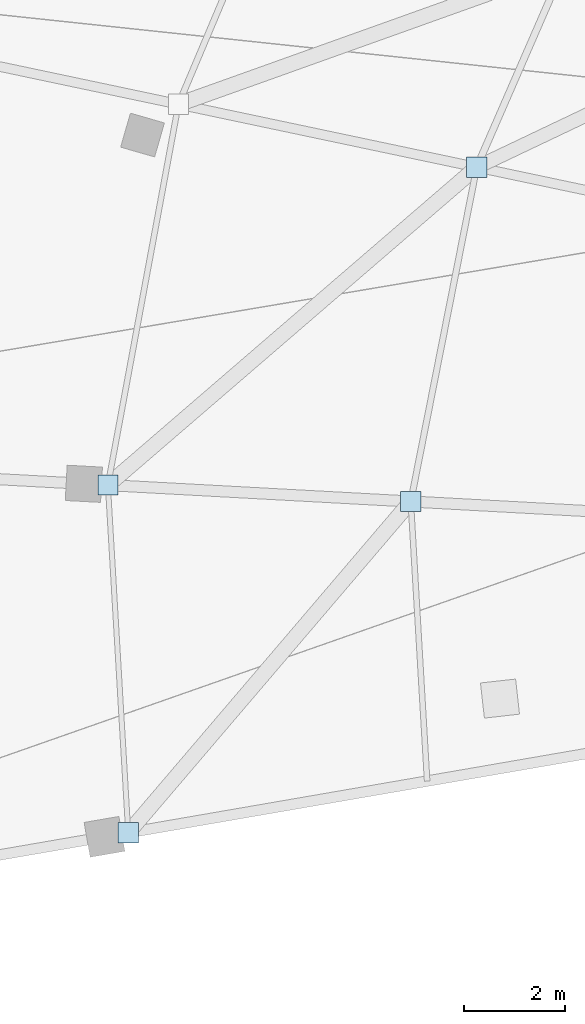
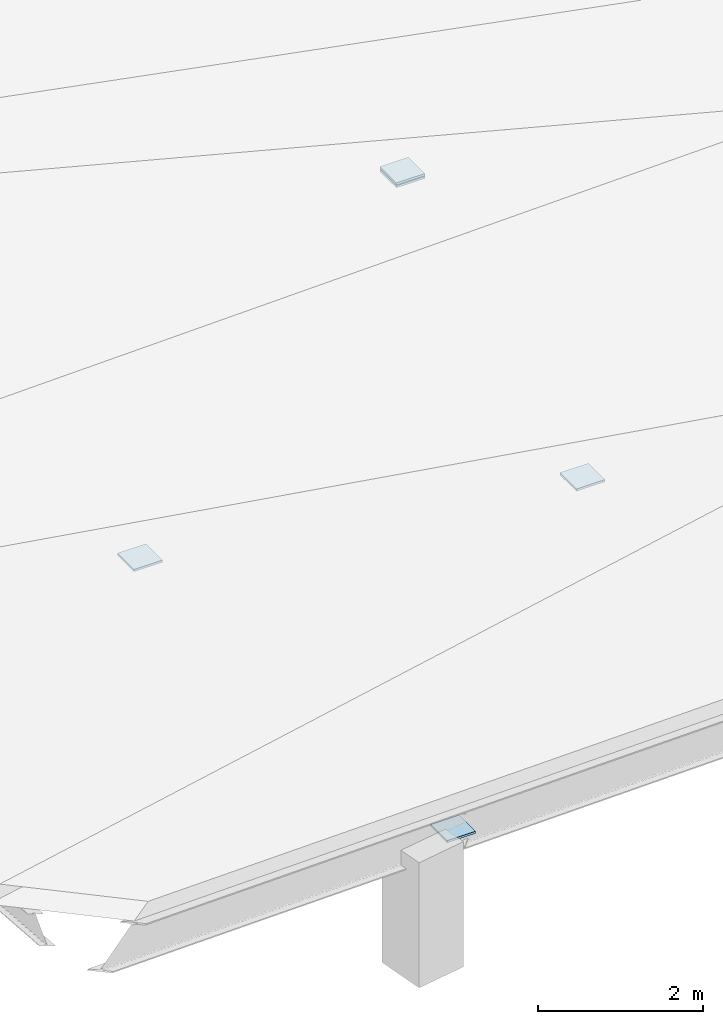
# One storey, part 28 of 49: 5 plates.
"""IFC4 building model written with IfcOpenShell, lengths in metres."""

from ifc_helpers import new_model, si_unit, direction, frame, origin, origin_2d, place, context, subcontext, project, spatial, rectangle, extrude, material, layer, layer_set, type_object, element, save


model = new_model("IFC4")

# Units and contexts
model_context = context("Model", 3, precision=1e-05, world=origin(), true_north=direction((0.0, 1.0)))
body_context = subcontext(model_context, "Body", "Model", "MODEL_VIEW")
ifc_project = project(units=[si_unit("LENGTHUNIT", "METRE"), si_unit("AREAUNIT", "SQUARE_METRE"), si_unit("VOLUMEUNIT", "CUBIC_METRE"), si_unit("PLANEANGLEUNIT", "RADIAN"), si_unit("MASSUNIT", "GRAM", prefix="KILO")], contexts=[model_context])

# Site, building, storey
site_placement = place(None, origin())
site = spatial("IfcSite", under=ifc_project, at=site_placement, CompositionType="ELEMENT")
building_placement = place(site_placement, origin())
building = spatial("IfcBuilding", under=site, at=building_placement, Name="Soyqirgoq Riverine Aquarium", CompositionType="ELEMENT")
storey_placement = place(building_placement, frame((0.0, 0.0, 15.0)))
storey = spatial("IfcBuildingStorey", under=building, at=storey_placement, Name="L04", CompositionType="ELEMENT", Elevation=15.0)

# Plates
ifc_material = material(Name="Structural steel S355", Category="steel")
ifc_layer = layer(ifc_material, 0.031982421875)
ifc_layer_set = layer_set([ifc_layer], Name="Structural steel S355")
plate_type = type_object("IfcPlateType", Name="NodeGussetPlate_32_S355", PredefinedType="SHEET", material=ifc_layer_set)
for number, where, z_axis, x_axis, name in (
    (1, (32.63232421875, 64.9619140625, 0.875), (0.0, 0.0, 1.0), (1.0, 0.0, 0.0), "V3 Lateral Wind Brace End Gusset 129"),
    (2, (25.322021484375, 58.66162109375, 1.53515625), (0.0, 0.0, 1.0), (1.0, 0.0, 0.0), "V3 Lateral Wind Brace End Gusset 130"),
    (3, (31.3251953125, 58.336181640625, 0.8212890625), (0.0, 0.0, 1.0), (1.0, 0.0, 0.0), "V3 Lateral Wind Brace End Gusset 131"),
    (4, (25.725341796875, 51.770751953125, 1.56005859375), (0.0, 0.0, 1.0), (1.0, 0.0, 0.0), "V3 Lateral Wind Brace End Gusset 132"),
    (5, (32.63232421875, 64.9619140625, 0.8349609375), (0.0, 0.0, 1.0), (1.0, 0.0, 0.0), "V3 Lateral Sub-Rafter Brace End Gusset 152"),
):
    element("IfcPlate", number, at=place(storey_placement, frame(where, z_axis=z_axis, x_axis=x_axis)), inside=storey, type_object=plate_type, Name=name, PredefinedType="SHEET", context=body_context, shape_type="SweptSolid", body=[
        extrude(rectangle(XDim=0.39990234375, YDim=0.39990234375, at=origin_2d()), origin(), (0.0, 0.0, 1.0), 0.031982421875),
    ])

save(model, "model.ifc")
